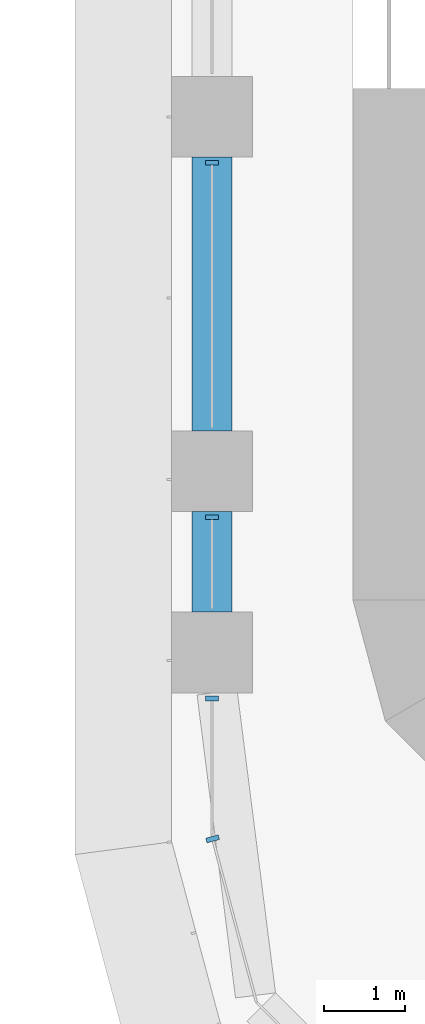
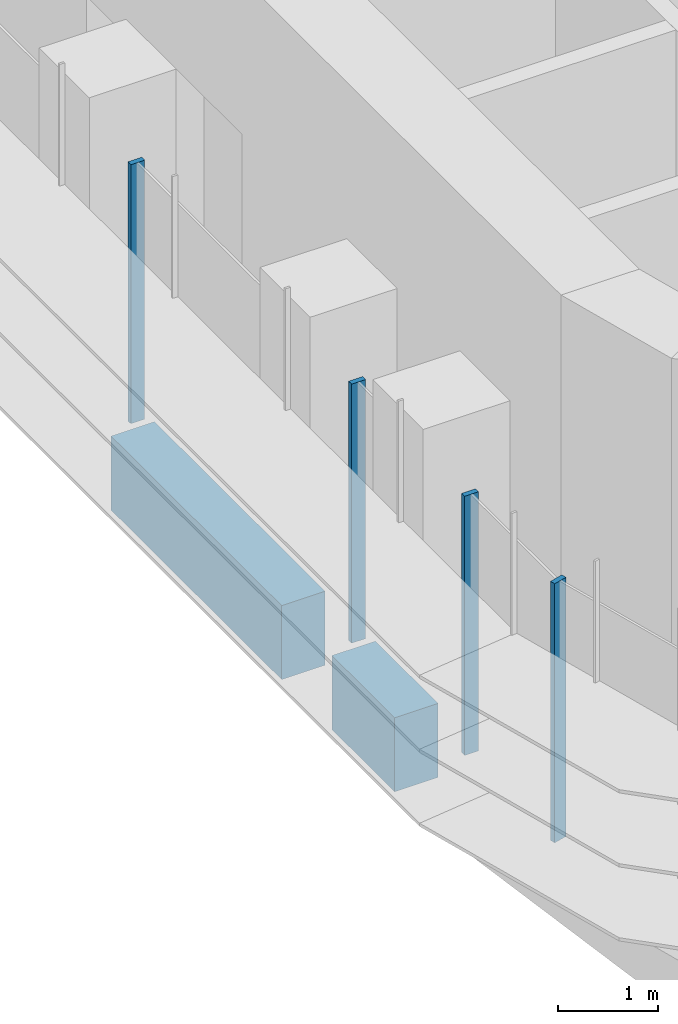
# One storey, part 2 of 23: 4 members, 2 beams, 2 elements without a shape of their own.
"""IFC4 building model written with IfcOpenShell, lengths in metres."""

from ifc_helpers import new_model, si_unit, direction, frame, origin, origin_2d, place, context, subcontext, project, spatial, polyline, rectangle, outline, extrude, source, transform, mapped, material, material_profile, profile_set, type_object, element, aggregate, save


model = new_model("IFC4")

# Units and contexts
model_context = context("Model", 3, precision=1e-05, world=origin(), true_north=direction((0.0, 1.0)))
body_context = subcontext(model_context, "Body", "Model", "MODEL_VIEW")
ifc_project = project(units=[si_unit("LENGTHUNIT", "METRE"), si_unit("AREAUNIT", "SQUARE_METRE"), si_unit("VOLUMEUNIT", "CUBIC_METRE"), si_unit("PLANEANGLEUNIT", "RADIAN"), si_unit("MASSUNIT", "GRAM", prefix="KILO")], contexts=[model_context])

# Site, building, storey
site_placement = place(None, origin())
site = spatial("IfcSite", under=ifc_project, at=site_placement, CompositionType="ELEMENT")
building_placement = place(site_placement, origin())
building = spatial("IfcBuilding", under=site, at=building_placement, Name="Zarbagh Exchange Tower", CompositionType="ELEMENT")
storey_placement = place(building_placement, frame((0.0, 0.0, 39.60009765625)))
storey = spatial("IfcBuildingStorey", under=building, at=storey_placement, Name="L08", CompositionType="ELEMENT", Elevation=39.60009765625)

# Beams
ifc_material_1 = material(Name="Concrete C60/75", Category="concrete")
ifc_material_profile = material_profile(ifc_material_1, rectangle(XDim=0.5, YDim=0.89990234375, at=origin_2d()), Name="RC spandrel beam 500 x 900 C60/75")
ifc_profile_set = profile_set([ifc_material_profile], Name="Concrete C60/75")
beam_type = type_object("IfcBeamType", Name="RC spandrel beam 500 x 900 C60/75", PredefinedType="SPANDREL", material=ifc_profile_set)
beam_1_placement = place(storey_placement, frame((-6.25, -26.39990234375, -0.60009765625), z_axis=(0.0, 1.0, 0.0), x_axis=(-1.0, 0.0, 0.0)))
element("IfcBeam", 1, at=beam_1_placement, inside=storey, type_object=beam_type, Name="RC spandrel beam", PredefinedType="SPANDREL", context=body_context, shape_type="SweptSolid", body=[
    extrude(rectangle(XDim=0.5, YDim=0.89990234375, at=origin_2d()), origin(), (0.0, 0.0, 1.0), 1.25),
])
beam_2_placement = place(storey_placement, frame((-6.25, -24.14990234375, -0.60009765625), z_axis=(0.0, 1.0, 0.0), x_axis=(-1.0, 0.0, 0.0)))
element("IfcBeam", 2, at=beam_2_placement, inside=storey, type_object=beam_type, Name="RC spandrel beam", PredefinedType="SPANDREL", context=body_context, shape_type="SweptSolid", body=[
    extrude(rectangle(XDim=0.5, YDim=0.89990234375, at=origin_2d()), origin(), (0.0, 0.0, 1.0), 3.39990234375),
])

# Curtain wall, members
ifc_material_2 = material(Name="Anodised aluminium frame and glazing", Category="aluminium")
curtain_wall_type = type_object("IfcCurtainWallType", Name="CWA Ribbon glazing, lower zones", PredefinedType="NOTDEFINED", material=ifc_material_2)
curtain_wall_1_placement = place(storey_placement, origin())
curtain_wall_1 = element("IfcCurtainWall", 3, at=curtain_wall_1_placement, inside=storey, type_object=curtain_wall_type, Name="CWA44 curtain wall", PredefinedType="NOTDEFINED")
ifc_material_3 = material(Name="Anodised aluminium frame", Category="aluminium")
member_type = type_object("IfcMemberType", Name="MUA Mullion, anodised aluminium frame", PredefinedType="MULLION", material=ifc_material_3)
shared_shape = source(origin(), body_context, "Body", "SweptSolid", [
    extrude(outline(polyline([(0.0, -0.080078125), (0.06005859375, -0.080078125), (0.06005859375, 0.080078125), (0.0, 0.080078125), (0.0, -0.080078125)])), origin(), (0.0, 0.0, 1.0), 3.14990234375),
])
placement = place(storey_placement, origin())
member_1 = element("IfcMember", 4, at=placement, type_object=member_type, Name="CWA44 mullion 3.1", PredefinedType="MULLION", context=body_context, shape_type="MappedRepresentation", body=[
    mapped(shared_shape, transform((-6.25, -20.7900390625, 0.0), x_axis=(0.0, -1.0, 0.0), y_axis=(1.0, 0.0, 0.0), z_axis=(0.0, 0.0, 1.0))),
])
member_2 = element("IfcMember", 5, at=placement, type_object=member_type, Name="CWA44 mullion 4.1", PredefinedType="MULLION", context=body_context, shape_type="MappedRepresentation", body=[
    mapped(shared_shape, transform((-6.25, -25.18994140625, 0.0), x_axis=(0.0, -1.0, 0.0), y_axis=(1.0, 0.0, 0.0), z_axis=(0.0, 0.0, 1.0))),
])
member_3 = element("IfcMember", 6, at=placement, type_object=member_type, Name="CWA44 mullion 5.1", PredefinedType="MULLION", context=body_context, shape_type="MappedRepresentation", body=[
    mapped(shared_shape, transform((-6.25, -27.43994140625, 0.0), x_axis=(0.0, -1.0, 0.0), y_axis=(1.0, 0.0, 0.0), z_axis=(0.0, 0.0, 1.0))),
])
aggregate(curtain_wall_1, [member_1, member_2, member_3])

# Curtain wall, member
curtain_wall_2_placement = place(storey_placement, origin())
curtain_wall_2 = element("IfcCurtainWall", 7, at=curtain_wall_2_placement, inside=storey, type_object=curtain_wall_type, Name="CWA45 curtain wall", PredefinedType="NOTDEFINED")
member_4 = element("IfcMember", 8, at=placement, type_object=member_type, Name="CWA45 mullion 1.1", PredefinedType="MULLION", context=body_context, shape_type="MappedRepresentation", body=[
    mapped(shared_shape, transform((-6.25, -29.18408203125, 0.0), x_axis=(0.258824779902, -0.965924289636, 0.0), y_axis=(0.965924289636, 0.258824779902, 0.0), z_axis=(0.0, 0.0, 1.0))),
])
aggregate(curtain_wall_2, [member_4])

save(model, "model.ifc")
